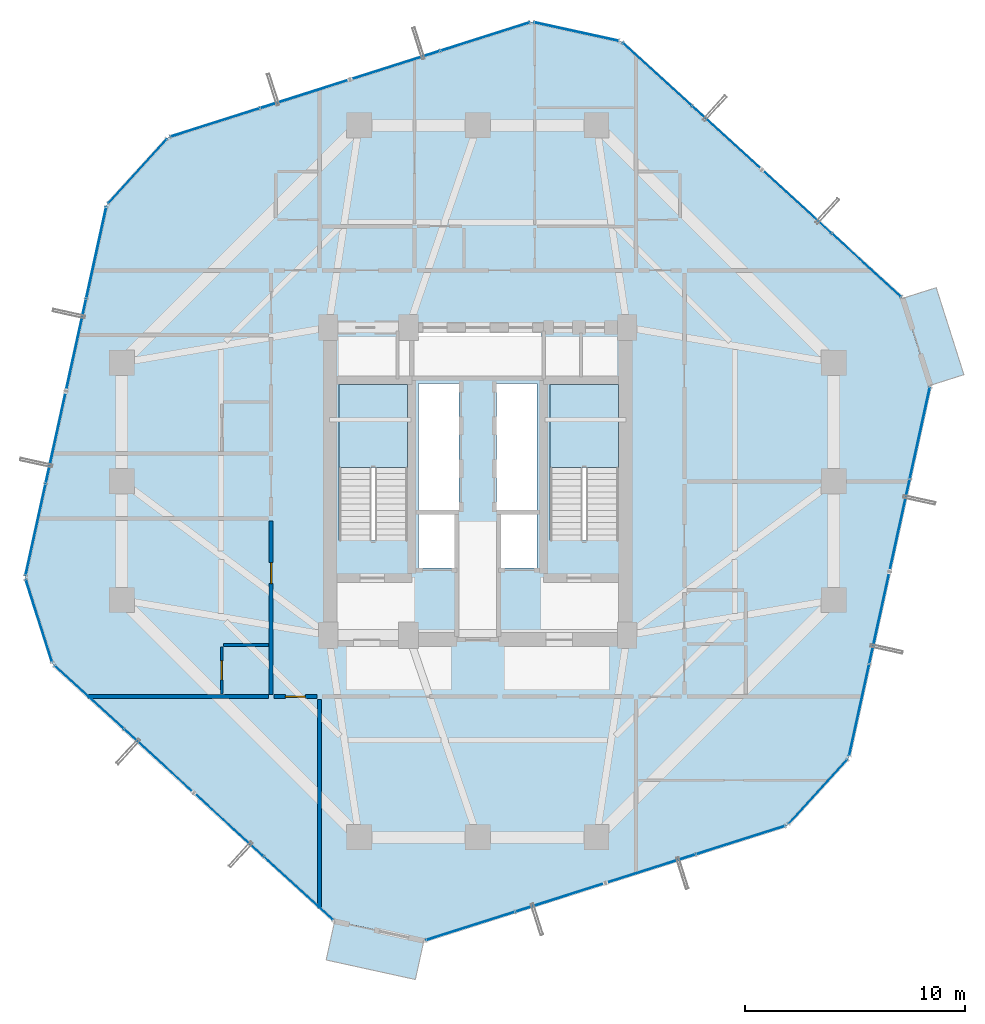
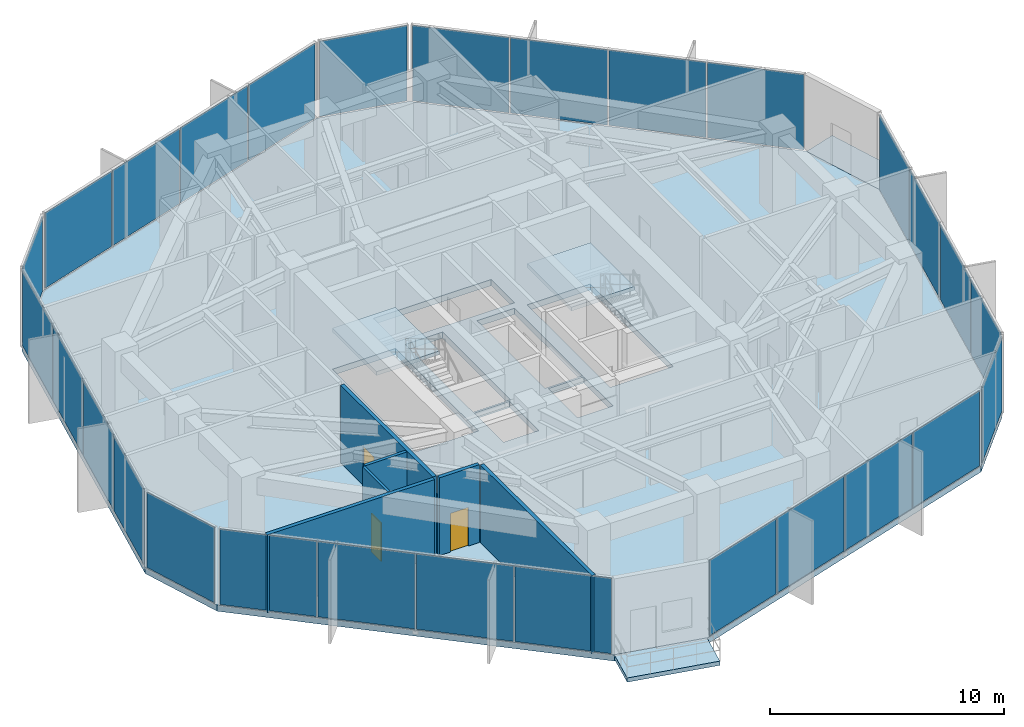
# One storey, part 22 of 28: 28 plates, 6 walls, 5 slabs, 3 doors, 3 openings, 12 elements without a shape of their own.
"""IFC4 building model written with IfcOpenShell, lengths in metres."""

from ifc_helpers import new_model, si_unit, direction, frame, frame_2d, origin, origin_2d, place, context, subcontext, project, spatial, polyline, rectangle, outline, extrude, source, transform, mapped, material, layer, layer_set, type_object, element, fill, aggregate, save


model = new_model("IFC4")

# Units and contexts
model_context = context("Model", 3, precision=1e-05, world=origin(), true_north=direction((0.0, 1.0)))
body_context = subcontext(model_context, "Body", "Model", "MODEL_VIEW")
ifc_project = project(units=[si_unit("LENGTHUNIT", "METRE"), si_unit("AREAUNIT", "SQUARE_METRE"), si_unit("VOLUMEUNIT", "CUBIC_METRE"), si_unit("PLANEANGLEUNIT", "RADIAN"), si_unit("MASSUNIT", "GRAM", prefix="KILO")], contexts=[model_context])

# Site, building, storey
site_placement = place(None, origin())
site = spatial("IfcSite", under=ifc_project, at=site_placement, CompositionType="ELEMENT")
building_placement = place(site_placement, origin())
building = spatial("IfcBuilding", under=site, at=building_placement, Name="Veraguas Prism Commons", CompositionType="ELEMENT")
storey_placement = place(building_placement, frame((0.0, 0.0, 85.14990234375)))
storey = spatial("IfcBuildingStorey", under=building, at=storey_placement, Name="L23", CompositionType="ELEMENT", Elevation=85.14990234375)

# Slab
ifc_material_1 = material(Name="Concrete C45/55", Category="concrete")
ifc_layer_1 = layer(ifc_material_1, 0.320068359375, Name="Plant Refuge and Sky Lobby Slab RC 320", Category="concrete")
ifc_layer_set_1 = layer_set([ifc_layer_1], Name="Concrete C45/55")
slab_type_1 = type_object("IfcSlabType", Name="Plant Refuge and Sky Lobby Slab RC 320", PredefinedType="FLOOR", material=ifc_layer_set_1)
slab_1_placement = place(storey_placement, frame((0.0, 0.0, -0.31982421875)))
element("IfcSlab", 1, at=slab_1_placement, inside=storey, type_object=slab_type_1, Name="Tower Floor Slab L23", PredefinedType="FLOOR", context=body_context, shape_type="SweptSolid", body=[
    extrude(outline(polyline([(44.59521484375, 28.3701171875), (43.336669921875, 32.327880859375), (30.51318359375, 44.02099609375), (26.456298828125, 44.909912109375), (9.91796875, 39.65087890625), (7.119384765625, 36.58203125), (3.40478515625, 19.6298828125), (4.663330078125, 15.672119140625), (17.48681640625, 3.97900390625), (21.543701171875, 3.090087890625), (38.08203125, 8.34912109375), (40.880615234375, 11.41796875), (44.59521484375, 28.3701171875)]), holes=[polyline([(20.800048828125, 21.31005859375), (20.800048828125, 28.39990234375), (17.68994140625, 28.39990234375), (17.68994140625, 21.31005859375), (20.800048828125, 21.31005859375)]), polyline([(30.39990234375, 21.31005859375), (30.39990234375, 28.39990234375), (27.2900390625, 28.39990234375), (27.2900390625, 21.31005859375), (30.39990234375, 21.31005859375)]), polyline([(21.300048828125, 22.64990234375), (23.14990234375, 22.64990234375), (23.14990234375, 28.449951171875), (21.300048828125, 28.449951171875), (21.300048828125, 22.64990234375)]), polyline([(24.85009765625, 22.64990234375), (26.699951171875, 22.64990234375), (26.699951171875, 28.449951171875), (24.85009765625, 28.449951171875), (24.85009765625, 22.64990234375)]), polyline([(21.10009765625, 28.800048828125), (26.89990234375, 28.800048828125), (26.89990234375, 30.800048828125), (21.10009765625, 30.800048828125), (21.10009765625, 28.800048828125)]), polyline([(21.300048828125, 20.050048828125), (23.050048828125, 20.050048828125), (23.050048828125, 22.550048828125), (21.300048828125, 22.550048828125), (21.300048828125, 20.050048828125)]), polyline([(24.949951171875, 20.050048828125), (26.699951171875, 20.050048828125), (26.699951171875, 22.550048828125), (24.949951171875, 22.550048828125), (24.949951171875, 20.050048828125)])]), origin(), (0.0, 0.0, 1.0), 0.31982421875),
])

# Stair, slab
ifc_material_2 = material(Name="Precast concrete C45/55", Category="concrete")
stair_type = type_object("IfcStairType", Name="Dogleg Core Stair 1480W 26R 06", PredefinedType="HALF_TURN_STAIR", material=ifc_material_2)
stair_1_placement = place(storey_placement, origin())
stair_1 = element("IfcStair", 2, at=stair_1_placement, inside=storey, type_object=stair_type, Name="Protected Exit Stair ST-01 L23", PredefinedType="HALF_TURN_STAIR")
ifc_layer_2 = layer(ifc_material_2, 0.199951171875, Name="Precast Stair and Ramp Landing Slab 200", Category="concrete")
ifc_layer_set_2 = layer_set([ifc_layer_2], Name="Precast concrete C45/55")
slab_type_2 = type_object("IfcSlabType", Name="Precast Stair and Ramp Landing Slab 200", PredefinedType="LANDING", material=ifc_layer_set_2)
slab_2_placement = place(storey_placement, frame((0.0, 0.0, 1.9501953125)))
slab_2 = element("IfcSlab", 3, at=slab_2_placement, type_object=slab_type_2, Name="ST-06 Landing 1", PredefinedType="LANDING", context=body_context, shape_type="SweptSolid", body=[
    extrude(outline(polyline([(20.800048828125, 24.639892578125), (20.800048828125, 28.39990234375), (17.68994140625, 28.39990234375), (17.68994140625, 24.639892578125), (20.800048828125, 24.639892578125)])), origin(), (0.0, 0.0, 1.0), 0.199951171875),
])
aggregate(stair_1, [slab_2])

stair_2_placement = place(storey_placement, origin())
stair_2 = element("IfcStair", 4, at=stair_2_placement, inside=storey, type_object=stair_type, Name="Protected Exit Stair ST-02 L23", PredefinedType="HALF_TURN_STAIR")
slab_3_placement = place(storey_placement, frame((0.0, 0.0, 1.9501953125)))
slab_3 = element("IfcSlab", 5, at=slab_3_placement, type_object=slab_type_2, Name="ST-06 Landing 1", PredefinedType="LANDING", context=body_context, shape_type="SweptSolid", body=[
    extrude(outline(polyline([(30.39990234375, 24.639892578125), (30.39990234375, 28.39990234375), (27.2900390625, 28.39990234375), (27.2900390625, 24.639892578125), (30.39990234375, 24.639892578125)])), origin(), (0.0, 0.0, 1.0), 0.199951171875),
])
aggregate(stair_2, [slab_3])

# Slabs
ifc_layer_3 = layer(ifc_material_1, 0.219970703125, Name="Recessed Loggia and Terrace Slab RC 220", Category="concrete")
ifc_layer_set_3 = layer_set([ifc_layer_3], Name="Concrete C45/55")
slab_type_3 = type_object("IfcSlabType", Name="Recessed Loggia and Terrace Slab RC 220", PredefinedType="FLOOR", material=ifc_layer_set_3)
slab_4_placement = place(storey_placement, frame((0.0, 0.0, -0.219970703125)))
element("IfcSlab", 6, at=slab_4_placement, inside=storey, type_object=slab_type_3, Name="Recessed Corner Loggia L23-C1", PredefinedType="FLOOR", context=body_context, shape_type="SweptSolid", body=[
    extrude(outline(polyline([(44.576171875, 28.364013671875), (46.1201171875, 28.854736328125), (44.861572265625, 32.8125), (43.317626953125, 32.32177734375), (44.576171875, 28.364013671875)])), origin(), (0.0, 0.0, 1.0), 0.219970703125),
])
slab_5_placement = place(storey_placement, frame((0.0, 0.0, -0.219970703125)))
element("IfcSlab", 7, at=slab_5_placement, inside=storey, type_object=slab_type_3, Name="Setback Sky Terrace L23", PredefinedType="FLOOR", context=body_context, shape_type="SweptSolid", body=[
    extrude(outline(polyline([(17.4912109375, 3.99853515625), (17.1015625, 2.220703125), (21.158447265625, 1.331787109375), (21.548095703125, 3.109619140625), (17.4912109375, 3.99853515625)])), origin(), (0.0, 0.0, 1.0), 0.219970703125),
])

# Curtain wall, plates
ifc_material_3 = material(Name="Anodised aluminium EN AW-6063 T6", Category="aluminium")
ifc_layer_4 = layer(ifc_material_3, 0.199951171875, Name="Sky Lobby and Pool Acoustic Curtain Wall", Category="aluminium")
ifc_layer_set_4 = layer_set([ifc_layer_4], Name="Anodised aluminium EN AW-6063 T6")
curtain_wall_type = type_object("IfcCurtainWallType", Name="Sky Lobby and Pool Acoustic Curtain Wall", PredefinedType="NOTDEFINED", material=ifc_layer_set_4)
curtain_wall_1_placement = place(storey_placement, origin())
curtain_wall_1 = element("IfcCurtainWall", 8, at=curtain_wall_1_placement, inside=storey, type_object=curtain_wall_type, Name="Tower Facade Curtain Wall L23-F1", PredefinedType="NOTDEFINED")
ifc_material_4 = material(Name="Laminated low-e glass", Category="glass")
ifc_layer_5 = layer(ifc_material_4, 0.031982421875, Name="Concourse Acoustic Triple Glazed Panel 32", Category="glass")
ifc_layer_set_5 = layer_set([ifc_layer_5], Name="Laminated low-e glass")
plate_type = type_object("IfcPlateType", Name="Concourse Acoustic Triple Glazed Panel 32", PredefinedType="CURTAIN_PANEL", material=ifc_layer_set_5)
shared_shape_1 = source(origin(), body_context, "Body", "SweptSolid", [
    extrude(rectangle(XDim=4.211181640625, YDim=0.031982421875, at=origin_2d()), origin(), (0.0, 0.0, 1.0), 3.929931640625),
])
plate_1_placement = place(storey_placement, frame((41.6884765625, 33.830810546875, 0.06005859375), z_axis=(0.0, 0.0, 1.0), x_axis=(-0.738924736523, 0.673787973887, 0.0)))
plate_1 = element("IfcPlate", 9, at=plate_1_placement, type_object=plate_type, Name="CW-SKY Panel 1.1", PredefinedType="CURTAIN_PANEL", context=body_context, shape_type="MappedRepresentation", body=[
    mapped(shared_shape_1, transform((0.0, 0.0, 0.0), scale=1.0)),
])
plate_2_placement = place(storey_placement, frame((32.161376953125, 42.51806640625, 0.06005859375), z_axis=(0.0, 0.0, 1.0), x_axis=(-0.738924736523, 0.673787973887, 0.0)))
plate_2 = element("IfcPlate", 10, at=plate_2_placement, type_object=plate_type, Name="CW-SKY Panel 4.1", PredefinedType="CURTAIN_PANEL", context=body_context, shape_type="MappedRepresentation", body=[
    mapped(shared_shape_1, transform((0.0, 0.0, 0.0), scale=1.0)),
])

curtain_wall_2_placement = place(storey_placement, origin())
curtain_wall_2 = element("IfcCurtainWall", 11, at=curtain_wall_2_placement, inside=storey, type_object=curtain_wall_type, Name="Tower Facade Curtain Wall L23-F2", PredefinedType="NOTDEFINED")
plate_3_placement = place(storey_placement, frame((24.33056640625, 44.234130859375, 0.06005859375), z_axis=(0.0, 0.0, 1.0), x_axis=(-0.952979341517, -0.303035269633, 0.0)))
plate_3 = element("IfcPlate", 12, at=plate_3_placement, type_object=plate_type, Name="CW-SKY Panel 1.1", PredefinedType="CURTAIN_PANEL", context=body_context, shape_type="MappedRepresentation", body=[
    mapped(shared_shape_1, transform((0.0, 0.0, 0.0), scale=1.0)),
])
plate_4_placement = place(storey_placement, frame((12.04345703125, 40.326904296875, 0.06005859375), z_axis=(0.0, 0.0, 1.0), x_axis=(-0.952979341517, -0.303035269633, 0.0)))
plate_4 = element("IfcPlate", 13, at=plate_4_placement, type_object=plate_type, Name="CW-SKY Panel 4.1", PredefinedType="CURTAIN_PANEL", context=body_context, shape_type="MappedRepresentation", body=[
    mapped(shared_shape_1, transform((0.0, 0.0, 0.0), scale=1.0)),
])

curtain_wall_3_placement = place(storey_placement, origin())
curtain_wall_3 = element("IfcCurtainWall", 14, at=curtain_wall_3_placement, inside=storey, type_object=curtain_wall_type, Name="Tower Facade Curtain Wall L23-F3", PredefinedType="NOTDEFINED")
plate_5_placement = place(storey_placement, frame((6.64208984375, 34.4033203125, 0.06005859375), z_axis=(0.0, 0.0, 1.0), x_axis=(-0.21405513389, -0.976821580257, 0.0)))
plate_5 = element("IfcPlate", 15, at=plate_5_placement, type_object=plate_type, Name="CW-SKY Panel 1.1", PredefinedType="CURTAIN_PANEL", context=body_context, shape_type="MappedRepresentation", body=[
    mapped(shared_shape_1, transform((0.0, 0.0, 0.0), scale=1.0)),
])
plate_6_placement = place(storey_placement, frame((3.88232421875, 21.808837890625, 0.06005859375), z_axis=(0.0, 0.0, 1.0), x_axis=(-0.21405513389, -0.976821580257, 0.0)))
plate_6 = element("IfcPlate", 16, at=plate_6_placement, type_object=plate_type, Name="CW-SKY Panel 4.1", PredefinedType="CURTAIN_PANEL", context=body_context, shape_type="MappedRepresentation", body=[
    mapped(shared_shape_1, transform((0.0, 0.0, 0.0), scale=1.0)),
])

curtain_wall_4_placement = place(storey_placement, origin())
curtain_wall_4 = element("IfcCurtainWall", 17, at=curtain_wall_4_placement, inside=storey, type_object=curtain_wall_type, Name="Tower Facade Curtain Wall L23-F4", PredefinedType="NOTDEFINED")
plate_7_placement = place(storey_placement, frame((6.3115234375, 14.169189453125, 0.06005859375), z_axis=(0.0, 0.0, 1.0), x_axis=(0.738924736523, -0.673787973887, 0.0)))
plate_7 = element("IfcPlate", 18, at=plate_7_placement, type_object=plate_type, Name="CW-SKY Panel 1.1", PredefinedType="CURTAIN_PANEL", context=body_context, shape_type="MappedRepresentation", body=[
    mapped(shared_shape_1, transform((0.0, 0.0, 0.0), scale=1.0)),
])
plate_8_placement = place(storey_placement, frame((15.838623046875, 5.48193359375, 0.06005859375), z_axis=(0.0, 0.0, 1.0), x_axis=(0.738924736523, -0.673787973887, 0.0)))
plate_8 = element("IfcPlate", 19, at=plate_8_placement, type_object=plate_type, Name="CW-SKY Panel 4.1", PredefinedType="CURTAIN_PANEL", context=body_context, shape_type="MappedRepresentation", body=[
    mapped(shared_shape_1, transform((0.0, 0.0, 0.0), scale=1.0)),
])

curtain_wall_5_placement = place(storey_placement, origin())
curtain_wall_5 = element("IfcCurtainWall", 20, at=curtain_wall_5_placement, inside=storey, type_object=curtain_wall_type, Name="Tower Facade Curtain Wall L23-F5", PredefinedType="NOTDEFINED")
plate_9_placement = place(storey_placement, frame((23.66943359375, 3.765869140625, 0.06005859375), z_axis=(0.0, 0.0, 1.0), x_axis=(0.952979341517, 0.303035269633, 0.0)))
plate_9 = element("IfcPlate", 21, at=plate_9_placement, type_object=plate_type, Name="CW-SKY Panel 1.1", PredefinedType="CURTAIN_PANEL", context=body_context, shape_type="MappedRepresentation", body=[
    mapped(shared_shape_1, transform((0.0, 0.0, 0.0), scale=1.0)),
])
plate_10_placement = place(storey_placement, frame((35.95654296875, 7.673095703125, 0.06005859375), z_axis=(0.0, 0.0, 1.0), x_axis=(0.952979341517, 0.303035269633, 0.0)))
plate_10 = element("IfcPlate", 22, at=plate_10_placement, type_object=plate_type, Name="CW-SKY Panel 4.1", PredefinedType="CURTAIN_PANEL", context=body_context, shape_type="MappedRepresentation", body=[
    mapped(shared_shape_1, transform((0.0, 0.0, 0.0), scale=1.0)),
])

curtain_wall_6_placement = place(storey_placement, origin())
curtain_wall_6 = element("IfcCurtainWall", 23, at=curtain_wall_6_placement, inside=storey, type_object=curtain_wall_type, Name="Tower Facade Curtain Wall L23-F6", PredefinedType="NOTDEFINED")
plate_11_placement = place(storey_placement, frame((41.35791015625, 13.5966796875, 0.06005859375), z_axis=(0.0, 0.0, 1.0), x_axis=(0.21405513389, 0.976821580257, 0.0)))
plate_11 = element("IfcPlate", 24, at=plate_11_placement, type_object=plate_type, Name="CW-SKY Panel 1.1", PredefinedType="CURTAIN_PANEL", context=body_context, shape_type="MappedRepresentation", body=[
    mapped(shared_shape_1, transform((0.0, 0.0, 0.0), scale=1.0)),
])
plate_12_placement = place(storey_placement, frame((44.11767578125, 26.191162109375, 0.06005859375), z_axis=(0.0, 0.0, 1.0), x_axis=(0.21405513389, 0.976821580257, 0.0)))
plate_12 = element("IfcPlate", 25, at=plate_12_placement, type_object=plate_type, Name="CW-SKY Panel 4.1", PredefinedType="CURTAIN_PANEL", context=body_context, shape_type="MappedRepresentation", body=[
    mapped(shared_shape_1, transform((0.0, 0.0, 0.0), scale=1.0)),
])

# Plate
shared_shape_2 = source(origin(), body_context, "Body", "SweptSolid", [
    extrude(rectangle(XDim=4.24365234375, YDim=0.031982421875, at=origin_2d()), origin(), (0.0, 0.0, 1.0), 3.929931640625),
])
plate_13_placement = place(storey_placement, frame((38.516845703125, 36.722900390625, 0.06005859375), z_axis=(0.0, 0.0, 1.0), x_axis=(-0.738924736523, 0.673787973887, 0.0)))
plate_13 = element("IfcPlate", 26, at=plate_13_placement, type_object=plate_type, Name="CW-SKY Panel 2.1", PredefinedType="CURTAIN_PANEL", context=body_context, shape_type="MappedRepresentation", body=[
    mapped(shared_shape_2, transform((0.0, 0.0, 0.0), scale=1.0)),
])

plate_14_placement = place(storey_placement, frame((35.3330078125, 39.6259765625, 0.06005859375), z_axis=(0.0, 0.0, 1.0), x_axis=(-0.738924736523, 0.673787973887, 0.0)))
plate_14 = element("IfcPlate", 27, at=plate_14_placement, type_object=plate_type, Name="CW-SKY Panel 3.1", PredefinedType="CURTAIN_PANEL", context=body_context, shape_type="MappedRepresentation", body=[
    mapped(shared_shape_2, transform((0.0, 0.0, 0.0), scale=1.0)),
])

aggregate(curtain_wall_1, [plate_1, plate_13, plate_14, plate_2])

plate_15_placement = place(storey_placement, frame((20.239990234375, 42.933349609375, 0.06005859375), z_axis=(0.0, 0.0, 1.0), x_axis=(-0.952979341517, -0.303035269633, 0.0)))
plate_15 = element("IfcPlate", 28, at=plate_15_placement, type_object=plate_type, Name="CW-SKY Panel 2.1", PredefinedType="CURTAIN_PANEL", context=body_context, shape_type="MappedRepresentation", body=[
    mapped(shared_shape_2, transform((0.0, 0.0, 0.0), scale=1.0)),
])

plate_16_placement = place(storey_placement, frame((16.134033203125, 41.627685546875, 0.06005859375), z_axis=(0.0, 0.0, 1.0), x_axis=(-0.952979341517, -0.303035269633, 0.0)))
plate_16 = element("IfcPlate", 29, at=plate_16_placement, type_object=plate_type, Name="CW-SKY Panel 3.1", PredefinedType="CURTAIN_PANEL", context=body_context, shape_type="MappedRepresentation", body=[
    mapped(shared_shape_2, transform((0.0, 0.0, 0.0), scale=1.0)),
])

aggregate(curtain_wall_2, [plate_3, plate_15, plate_16, plate_4])

plate_17_placement = place(storey_placement, frame((5.723388671875, 30.21044921875, 0.06005859375), z_axis=(0.0, 0.0, 1.0), x_axis=(-0.21405513389, -0.976821580257, 0.0)))
plate_17 = element("IfcPlate", 30, at=plate_17_placement, type_object=plate_type, Name="CW-SKY Panel 2.1", PredefinedType="CURTAIN_PANEL", context=body_context, shape_type="MappedRepresentation", body=[
    mapped(shared_shape_2, transform((0.0, 0.0, 0.0), scale=1.0)),
])

plate_18_placement = place(storey_placement, frame((4.801025390625, 26.001708984375, 0.06005859375), z_axis=(0.0, 0.0, 1.0), x_axis=(-0.21405513389, -0.976821580257, 0.0)))
plate_18 = element("IfcPlate", 31, at=plate_18_placement, type_object=plate_type, Name="CW-SKY Panel 3.1", PredefinedType="CURTAIN_PANEL", context=body_context, shape_type="MappedRepresentation", body=[
    mapped(shared_shape_2, transform((0.0, 0.0, 0.0), scale=1.0)),
])

aggregate(curtain_wall_3, [plate_5, plate_17, plate_18, plate_6])

plate_19_placement = place(storey_placement, frame((9.483154296875, 11.277099609375, 0.06005859375), z_axis=(0.0, 0.0, 1.0), x_axis=(0.738924736523, -0.673787973887, 0.0)))
plate_19 = element("IfcPlate", 32, at=plate_19_placement, type_object=plate_type, Name="CW-SKY Panel 2.1", PredefinedType="CURTAIN_PANEL", context=body_context, shape_type="MappedRepresentation", body=[
    mapped(shared_shape_2, transform((0.0, 0.0, 0.0), scale=1.0)),
])

plate_20_placement = place(storey_placement, frame((12.6669921875, 8.3740234375, 0.06005859375), z_axis=(0.0, 0.0, 1.0), x_axis=(0.738924736523, -0.673787973887, 0.0)))
plate_20 = element("IfcPlate", 33, at=plate_20_placement, type_object=plate_type, Name="CW-SKY Panel 3.1", PredefinedType="CURTAIN_PANEL", context=body_context, shape_type="MappedRepresentation", body=[
    mapped(shared_shape_2, transform((0.0, 0.0, 0.0), scale=1.0)),
])

aggregate(curtain_wall_4, [plate_7, plate_19, plate_20, plate_8])

plate_21_placement = place(storey_placement, frame((27.760009765625, 5.066650390625, 0.06005859375), z_axis=(0.0, 0.0, 1.0), x_axis=(0.952979341517, 0.303035269633, 0.0)))
plate_21 = element("IfcPlate", 34, at=plate_21_placement, type_object=plate_type, Name="CW-SKY Panel 2.1", PredefinedType="CURTAIN_PANEL", context=body_context, shape_type="MappedRepresentation", body=[
    mapped(shared_shape_2, transform((0.0, 0.0, 0.0), scale=1.0)),
])

plate_22_placement = place(storey_placement, frame((31.865966796875, 6.372314453125, 0.06005859375), z_axis=(0.0, 0.0, 1.0), x_axis=(0.952979341517, 0.303035269633, 0.0)))
plate_22 = element("IfcPlate", 35, at=plate_22_placement, type_object=plate_type, Name="CW-SKY Panel 3.1", PredefinedType="CURTAIN_PANEL", context=body_context, shape_type="MappedRepresentation", body=[
    mapped(shared_shape_2, transform((0.0, 0.0, 0.0), scale=1.0)),
])

aggregate(curtain_wall_5, [plate_9, plate_21, plate_22, plate_10])

plate_23_placement = place(storey_placement, frame((42.276611328125, 17.78955078125, 0.06005859375), z_axis=(0.0, 0.0, 1.0), x_axis=(0.21405513389, 0.976821580257, 0.0)))
plate_23 = element("IfcPlate", 36, at=plate_23_placement, type_object=plate_type, Name="CW-SKY Panel 2.1", PredefinedType="CURTAIN_PANEL", context=body_context, shape_type="MappedRepresentation", body=[
    mapped(shared_shape_2, transform((0.0, 0.0, 0.0), scale=1.0)),
])

plate_24_placement = place(storey_placement, frame((43.198974609375, 21.998291015625, 0.06005859375), z_axis=(0.0, 0.0, 1.0), x_axis=(0.21405513389, 0.976821580257, 0.0)))
plate_24 = element("IfcPlate", 37, at=plate_24_placement, type_object=plate_type, Name="CW-SKY Panel 3.1", PredefinedType="CURTAIN_PANEL", context=body_context, shape_type="MappedRepresentation", body=[
    mapped(shared_shape_2, transform((0.0, 0.0, 0.0), scale=1.0)),
])

aggregate(curtain_wall_6, [plate_11, plate_23, plate_24, plate_12])

# Curtain wall, plate
curtain_wall_7_placement = place(storey_placement, origin())
curtain_wall_7 = element("IfcCurtainWall", 38, at=curtain_wall_7_placement, inside=storey, type_object=curtain_wall_type, Name="Chamfer Curtain Wall L23-C2", PredefinedType="NOTDEFINED")
shared_shape_3 = source(origin(), body_context, "Body", "SweptSolid", [
    extrude(rectangle(XDim=3.9033203125, YDim=0.031982421875, at=origin_2d()), origin(), (0.0, 0.0, 1.0), 3.929931640625),
])
plate_25_placement = place(storey_placement, frame((28.484619140625, 44.465576171875, 0.06005859375), z_axis=(0.0, 0.0, 1.0), x_axis=(-0.976817470513, 0.214073887478, 0.0)))
plate_25 = element("IfcPlate", 39, at=plate_25_placement, type_object=plate_type, Name="CW-SKY Panel 1.1", PredefinedType="CURTAIN_PANEL", context=body_context, shape_type="MappedRepresentation", body=[
    mapped(shared_shape_3, transform((0.0, 0.0, 0.0), scale=1.0)),
])
aggregate(curtain_wall_7, [plate_25])

curtain_wall_8_placement = place(storey_placement, origin())
curtain_wall_8 = element("IfcCurtainWall", 40, at=curtain_wall_8_placement, inside=storey, type_object=curtain_wall_type, Name="Chamfer Curtain Wall L23-C3", PredefinedType="NOTDEFINED")
plate_26_placement = place(storey_placement, frame((8.518798828125, 38.116455078125, 0.06005859375), z_axis=(0.0, 0.0, 1.0), x_axis=(-0.673790553217, -0.738922384554, 0.0)))
plate_26 = element("IfcPlate", 41, at=plate_26_placement, type_object=plate_type, Name="CW-SKY Panel 1.1", PredefinedType="CURTAIN_PANEL", context=body_context, shape_type="MappedRepresentation", body=[
    mapped(shared_shape_3, transform((0.0, 0.0, 0.0), scale=1.0)),
])
aggregate(curtain_wall_8, [plate_26])

curtain_wall_9_placement = place(storey_placement, origin())
curtain_wall_9 = element("IfcCurtainWall", 42, at=curtain_wall_9_placement, inside=storey, type_object=curtain_wall_type, Name="Chamfer Curtain Wall L23-C6", PredefinedType="NOTDEFINED")
plate_27_placement = place(storey_placement, frame((39.481201171875, 9.883544921875, 0.06005859375), z_axis=(0.0, 0.0, 1.0), x_axis=(0.673790553217, 0.738922384554, 0.0)))
plate_27 = element("IfcPlate", 43, at=plate_27_placement, type_object=plate_type, Name="CW-SKY Panel 1.1", PredefinedType="CURTAIN_PANEL", context=body_context, shape_type="MappedRepresentation", body=[
    mapped(shared_shape_3, transform((0.0, 0.0, 0.0), scale=1.0)),
])
aggregate(curtain_wall_9, [plate_27])

curtain_wall_10_placement = place(storey_placement, origin())
curtain_wall_10 = element("IfcCurtainWall", 44, at=curtain_wall_10_placement, inside=storey, type_object=curtain_wall_type, Name="Chamfer Curtain Wall L23-C4", PredefinedType="NOTDEFINED")
shared_shape_4 = source(origin(), body_context, "Body", "SweptSolid", [
    extrude(rectangle(XDim=3.903076171875, YDim=0.031982421875, at=origin_2d()), origin(), (0.0, 0.0, 1.0), 3.929931640625),
])
plate_28_placement = place(storey_placement, frame((4.033935546875, 17.651123046875, 0.06005859375), z_axis=(0.0, 0.0, 1.0), x_axis=(0.303023626771, -0.95298304372, 0.0)))
plate_28 = element("IfcPlate", 45, at=plate_28_placement, type_object=plate_type, Name="CW-SKY Panel 1.1", PredefinedType="CURTAIN_PANEL", context=body_context, shape_type="MappedRepresentation", body=[
    mapped(shared_shape_4, transform((0.0, 0.0, 0.0), scale=1.0)),
])
aggregate(curtain_wall_10, [plate_28])

# Walls
ifc_material_5 = material(Name="Autoclaved aerated masonry block 10 MPa", Category="masonry")
ifc_layer_6 = layer(ifc_material_5, 0.179931640625, Name="Corridor and Inter-Tenancy Partition 180", Category="masonry")
ifc_layer_set_6 = layer_set([ifc_layer_6], Name="Autoclaved aerated masonry block 10 MPa")
wall_type_1 = type_object("IfcWallType", Name="Corridor and Inter-Tenancy Partition 180", PredefinedType="PARTITIONING", material=ifc_layer_set_6)
wall_1_placement = place(storey_placement, frame((16.800048828125, 14.080078125, 0.0), z_axis=(0.0, 0.0, 1.0), x_axis=(0.0, -1.0, 0.0)))
element("IfcWall", 46, at=wall_1_placement, inside=storey, type_object=wall_type_1, Name="WL-L23-PT001", PredefinedType="PARTITIONING", context=body_context, shape_type="SweptSolid", body=[
    extrude(rectangle(XDim=9.515380859375, YDim=0.179931640625, at=frame_2d((4.7578125, 0.0))), origin(), (0.0, 0.0, 1.0), 4.050048828125),
])
wall_2_placement = place(storey_placement, frame((14.47998046875, 14.199951171875, 0.0), z_axis=(0.0, 0.0, 1.0), x_axis=(-1.0, 0.0, 0.0)))
element("IfcWall", 47, at=wall_2_placement, inside=storey, type_object=wall_type_1, Name="WL-L23-PT019", PredefinedType="PARTITIONING", context=body_context, shape_type="SweptSolid", body=[
    extrude(rectangle(XDim=8.24658203125, YDim=0.179931640625, at=frame_2d((4.123291015625, 0.0))), origin(), (0.0, 0.0, 1.0), 4.050048828125),
])

# Wall, opening, door
wall_3_placement = place(storey_placement, frame((14.60009765625, 14.31005859375, 0.0), z_axis=(0.0, 0.0, 1.0), x_axis=(0.0, 1.0, 0.0)))
wall_3 = element("IfcWall", 48, at=wall_3_placement, inside=storey, type_object=wall_type_1, Name="WL-L23-PT023", PredefinedType="PARTITIONING", context=body_context, shape_type="SweptSolid", body=[
    extrude(rectangle(XDim=7.887939453125, YDim=0.179931640625, at=frame_2d((3.94384765625, 0.0))), origin(), (0.0, 0.0, 1.0), 4.050048828125),
])
opening_1_placement = place(wall_3_placement, frame((5.0380859375, 0.0, 0.0)))
opening_1 = element("IfcOpeningElement", 49, at=opening_1_placement, cuts=wall_3, Name="Opening DR-01", PredefinedType="OPENING", context=body_context, shape_type="SweptSolid", body=[
    extrude(rectangle(XDim=0.949951171875, YDim=2.02001953125, at=frame_2d((0.47509765625, 1.010009765625))), frame((0.0, 0.099853515625, 0.0), z_axis=(0.0, -1.0, 0.0), x_axis=(1.0, 0.0, 0.0)), (0.0, 0.0, 1.0), 0.199951171875),
])
door_type_1 = type_object("IfcDoorType", Name="Apartment Entrance Fire Door 950x2020", OperationType="NOTDEFINED", PredefinedType="DOOR", material=ifc_material_3)
shared_shape_5 = source(origin(), body_context, "Body", "SweptSolid", [
    extrude(rectangle(XDim=0.949951171875, YDim=2.02001953125, at=frame_2d((0.47509765625, 1.010009765625))), frame((0.0, 0.02490234375, 0.0), z_axis=(0.0, -1.0, 0.0), x_axis=(1.0, 0.0, 0.0)), (0.0, 0.0, 1.0), 0.050048828125),
])
door_1_placement = place(opening_1_placement, origin())
door_1 = element("IfcDoor", 50, at=door_1_placement, inside=storey, type_object=door_type_1, Name="Studio 23B Entrance Door", OperationType="SINGLE_SWING_LEFT", OverallHeight=2.02001953125, OverallWidth=0.949951171875, PredefinedType="DOOR", context=body_context, shape_type="MappedRepresentation", body=[
    mapped(shared_shape_5, transform((0.0, 0.0, 0.0), scale=1.0)),
])
fill(opening_1, door_1)

wall_4_placement = place(storey_placement, frame((14.719970703125, 14.199951171875, 0.0), z_axis=(0.0, 0.0, 1.0), x_axis=(1.0, 0.0, 0.0)))
wall_4 = element("IfcWall", 51, at=wall_4_placement, inside=storey, type_object=wall_type_1, Name="WL-L23-PT043", PredefinedType="PARTITIONING", context=body_context, shape_type="SweptSolid", body=[
    extrude(rectangle(XDim=1.9599609375, YDim=0.179931640625, at=frame_2d((0.97998046875, 0.0))), origin(), (0.0, 0.0, 1.0), 4.050048828125),
])
opening_2_placement = place(wall_4_placement, frame((0.530029296875, 0.0, 0.0)))
opening_2 = element("IfcOpeningElement", 52, at=opening_2_placement, cuts=wall_4, Name="Opening DR-14", PredefinedType="OPENING", context=body_context, shape_type="SweptSolid", body=[
    extrude(rectangle(XDim=0.89990234375, YDim=2.010009765625, at=frame_2d((0.449951171875, 1.0048828125))), frame((0.0, 0.099853515625, 0.0), z_axis=(0.0, -1.0, 0.0), x_axis=(1.0, 0.0, 0.0)), (0.0, 0.0, 1.0), 0.199951171875),
])
ifc_material_6 = material(Name="Steel fire-rated door assembly", Category="steel")
door_type_2 = type_object("IfcDoorType", Name="Core Service Room Fire Door 900x2010", OperationType="NOTDEFINED", PredefinedType="DOOR", material=ifc_material_6)
shared_shape_6 = source(origin(), body_context, "Body", "SweptSolid", [
    extrude(rectangle(XDim=0.89990234375, YDim=2.010009765625, at=frame_2d((0.449951171875, 1.0048828125))), frame((0.0, 0.02490234375, 0.0), z_axis=(0.0, -1.0, 0.0), x_axis=(1.0, 0.0, 0.0)), (0.0, 0.0, 1.0), 0.050048828125),
])
door_2_placement = place(opening_2_placement, origin())
door_2 = element("IfcDoor", 53, at=door_2_placement, inside=storey, type_object=door_type_2, Name="Residents Cycle and Pram Store SW Door", OperationType="SINGLE_SWING_RIGHT", OverallHeight=2.010009765625, OverallWidth=0.89990234375, PredefinedType="DOOR", context=body_context, shape_type="MappedRepresentation", body=[
    mapped(shared_shape_6, transform((0.0, 0.0, 0.0), scale=1.0)),
])
fill(opening_2, door_2)

ifc_material_7 = material(Name="Lightweight acoustic gypsum board")
ifc_layer_7 = layer(ifc_material_7, 0.125, Name="Internal Apartment Room Partition 125")
ifc_layer_set_7 = layer_set([ifc_layer_7], Name="Lightweight acoustic gypsum board")
wall_type_2 = type_object("IfcWallType", Name="Internal Apartment Room Partition 125", PredefinedType="PARTITIONING", material=ifc_layer_set_7)
wall_5_placement = place(storey_placement, frame((12.35009765625, 14.320068359375, 0.0), z_axis=(0.0, 0.0, 1.0), x_axis=(0.0, 1.0, 0.0)))
wall_5 = element("IfcWall", 54, at=wall_5_placement, inside=storey, type_object=wall_type_2, Name="WL-L23-PT025", PredefinedType="PARTITIONING", context=body_context, shape_type="SweptSolid", body=[
    extrude(rectangle(XDim=2.14990234375, YDim=0.125, at=frame_2d((1.074951171875, 0.0))), origin(), (0.0, 0.0, 1.0), 4.050048828125),
])
opening_3_placement = place(wall_5_placement, frame((0.64501953125, 0.0, 0.0)))
opening_3 = element("IfcOpeningElement", 55, at=opening_3_placement, cuts=wall_5, Name="Opening DR-03", PredefinedType="OPENING", context=body_context, shape_type="SweptSolid", body=[
    extrude(rectangle(XDim=0.860107421875, YDim=2.010009765625, at=frame_2d((0.43017578125, 1.0048828125))), frame((0.0, 0.072509765625, 0.0), z_axis=(0.0, -1.0, 0.0), x_axis=(1.0, 0.0, 0.0)), (0.0, 0.0, 1.0), 0.14501953125),
])
ifc_material_8 = material(Name="Timber moisture-resistant leaf", Category="wood")
door_type_3 = type_object("IfcDoorType", Name="Internal Bathroom Door 860x2010", OperationType="NOTDEFINED", PredefinedType="DOOR", material=ifc_material_8)
shared_shape_7 = source(origin(), body_context, "Body", "SweptSolid", [
    extrude(rectangle(XDim=0.860107421875, YDim=2.010009765625, at=frame_2d((0.43017578125, 1.0048828125))), frame((0.0, 0.02490234375, 0.0), z_axis=(0.0, -1.0, 0.0), x_axis=(1.0, 0.0, 0.0)), (0.0, 0.0, 1.0), 0.050048828125),
])
door_3_placement = place(opening_3_placement, origin())
door_3 = element("IfcDoor", 56, at=door_3_placement, inside=storey, type_object=door_type_3, Name="Studio 23B Bathroom Door", OperationType="SINGLE_SWING_RIGHT", OverallHeight=2.010009765625, OverallWidth=0.860107421875, PredefinedType="DOOR", context=body_context, shape_type="MappedRepresentation", body=[
    mapped(shared_shape_7, transform((0.0, 0.0, 0.0), scale=1.0)),
])
fill(opening_3, door_3)

# Wall
ifc_layer_8 = layer(ifc_material_7, 0.14990234375, Name="Wet Room and Clinic Acoustic Partition 150")
ifc_layer_set_8 = layer_set([ifc_layer_8], Name="Lightweight acoustic gypsum board")
wall_type_3 = type_object("IfcWallType", Name="Wet Room and Clinic Acoustic Partition 150", PredefinedType="PARTITIONING", material=ifc_layer_set_8)
wall_6_placement = place(storey_placement, frame((14.47998046875, 16.550048828125, 0.0), z_axis=(0.0, 0.0, 1.0), x_axis=(-1.0, 0.0, 0.0)))
element("IfcWall", 57, at=wall_6_placement, inside=storey, type_object=wall_type_3, Name="WL-L23-PT024", PredefinedType="PARTITIONING", context=body_context, shape_type="SweptSolid", body=[
    extrude(rectangle(XDim=2.050048828125, YDim=0.14990234375, at=frame_2d((1.02490234375, 0.0))), origin(), (0.0, 0.0, 1.0), 4.050048828125),
])

save(model, "model.ifc")
